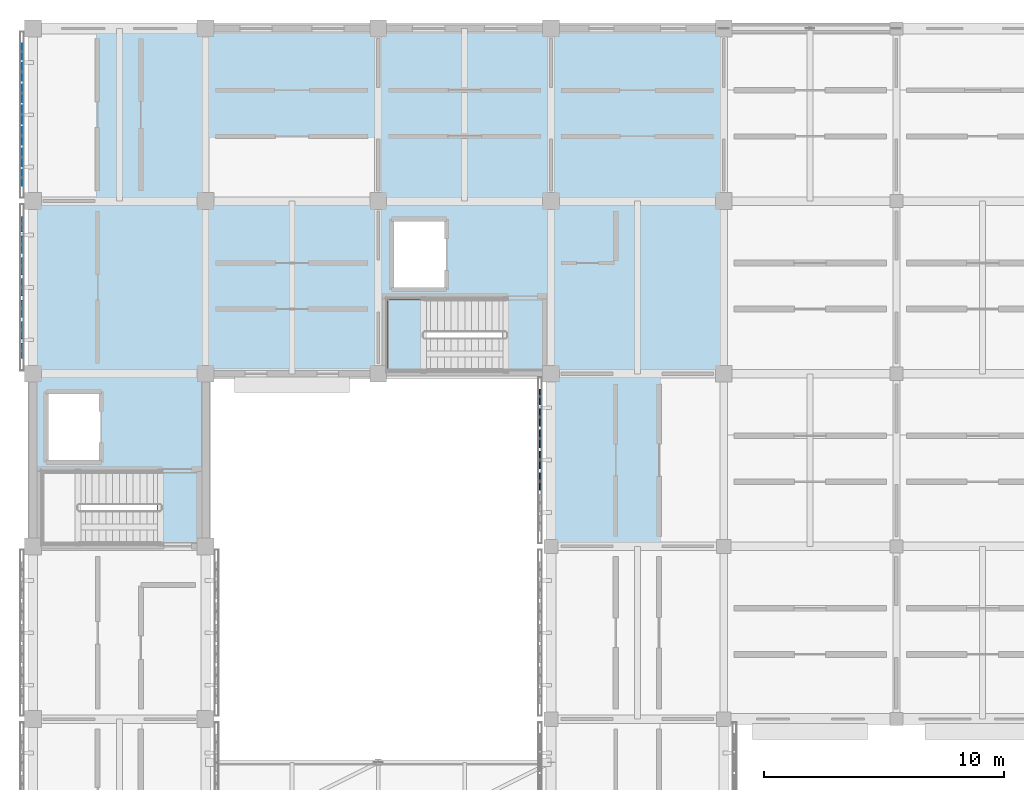
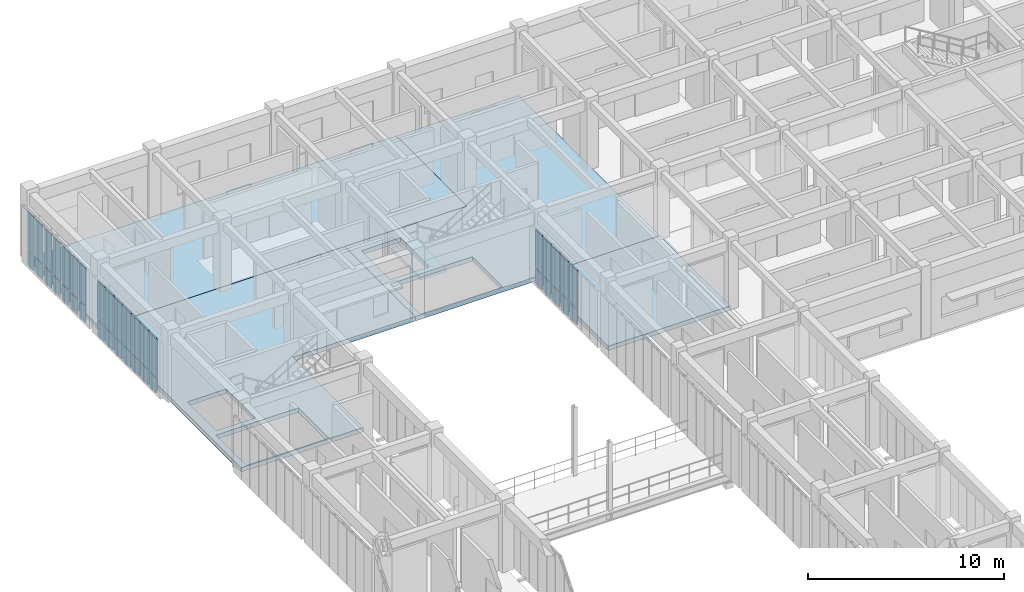
# One storey, part 101 of 171: 38 plates, 5 slabs, 4 elements without a shape of their own.
"""IFC4 building model written with IfcOpenShell, lengths in metres."""

from ifc_helpers import new_model, si_unit, direction, frame, origin, origin_2d, place, context, subcontext, project, spatial, polyline, rectangle, outline, extrude, material, layer, layer_set, type_object, element, aggregate, save


model = new_model("IFC4")

# Units and contexts
model_context = context("Model", 3, precision=1e-05, world=origin(), true_north=direction((0.0, 1.0)))
body_context = subcontext(model_context, "Body", "Model", "MODEL_VIEW")
ifc_project = project(units=[si_unit("LENGTHUNIT", "METRE"), si_unit("AREAUNIT", "SQUARE_METRE"), si_unit("VOLUMEUNIT", "CUBIC_METRE"), si_unit("PLANEANGLEUNIT", "RADIAN"), si_unit("MASSUNIT", "GRAM", prefix="KILO")], contexts=[model_context])

# Site, building, storey
site_placement = place(None, origin())
site = spatial("IfcSite", under=ifc_project, at=site_placement, CompositionType="ELEMENT")
building_placement = place(site_placement, origin())
building = spatial("IfcBuilding", under=site, at=building_placement, Name="Aldebral Square Health Centre", CompositionType="ELEMENT")
storey_placement = place(building_placement, frame((0.0, 0.0, 4.5)))
storey = spatial("IfcBuildingStorey", under=building, at=storey_placement, Name="L01", CompositionType="ELEMENT", Elevation=4.5)

# Curtain wall, plates
ifc_material_1 = material(Name="Aluminium and low-E solar glass", Category="aluminium")
curtain_wall_type = type_object("IfcCurtainWallType", Name="CW-FIN-SYS", PredefinedType="USERDEFINED", material=ifc_material_1)
curtain_wall_1_placement = place(storey_placement, origin())
curtain_wall_1 = element("IfcCurtainWall", 1, at=curtain_wall_1_placement, inside=storey, type_object=curtain_wall_type, Name="L01 V4 finned curtain wall L01-V4-00-15-W", ObjectType="SOLAR_CURTAIN_WALL", PredefinedType="USERDEFINED")
ifc_material_2 = material(Name="Solar-control low-E double glass", Category="glass")
ifc_layer_1 = layer(ifc_material_2, 0.02001953125, Name="Solar-control low-E double glass", Category="glass")
ifc_layer_set_1 = layer_set([ifc_layer_1], Name="Solar-control low-E double glass")
plate_type_1 = type_object("IfcPlateType", Name="CWP-GLZ-1", PredefinedType="CURTAIN_PANEL", material=ifc_layer_set_1)
plate_1_placement = place(storey_placement, frame((-0.4599609375, 114.234375, 0.074951171875), z_axis=(0.0, 0.0, 1.0), x_axis=(0.0, -1.0, 0.0)))
plate_1 = element("IfcPlate", 2, at=plate_1_placement, type_object=plate_type_1, Name="CW1 panel 1.1", PredefinedType="CURTAIN_PANEL", context=body_context, shape_type="SweptSolid", body=[
    extrude(rectangle(XDim=0.6513671875, YDim=0.02001953125, at=origin_2d()), origin(), (0.0, 0.0, 1.0), 0.9375),
])
plate_2_placement = place(storey_placement, frame((-0.4599609375, 114.234375, 1.087646484375), z_axis=(0.0, 0.0, 1.0), x_axis=(0.0, -1.0, 0.0)))
plate_2 = element("IfcPlate", 3, at=plate_2_placement, type_object=plate_type_1, Name="CW1 panel 1.2", PredefinedType="CURTAIN_PANEL", context=body_context, shape_type="SweptSolid", body=[
    extrude(rectangle(XDim=0.6513671875, YDim=0.02001953125, at=origin_2d()), origin(), (0.0, 0.0, 1.0), 2.357421875),
])
plate_3_placement = place(storey_placement, frame((-0.4599609375, 113.3828125, 0.074951171875), z_axis=(0.0, 0.0, 1.0), x_axis=(0.0, -1.0, 0.0)))
plate_3 = element("IfcPlate", 4, at=plate_3_placement, type_object=plate_type_1, Name="CW1 panel 2.1", PredefinedType="CURTAIN_PANEL", context=body_context, shape_type="SweptSolid", body=[
    extrude(rectangle(XDim=0.7314453125, YDim=0.02001953125, at=origin_2d()), origin(), (0.0, 0.0, 1.0), 0.9375),
])
plate_4_placement = place(storey_placement, frame((-0.4599609375, 113.3828125, 1.087646484375), z_axis=(0.0, 0.0, 1.0), x_axis=(0.0, -1.0, 0.0)))
plate_4 = element("IfcPlate", 5, at=plate_4_placement, type_object=plate_type_1, Name="CW1 panel 2.2", PredefinedType="CURTAIN_PANEL", context=body_context, shape_type="SweptSolid", body=[
    extrude(rectangle(XDim=0.7314453125, YDim=0.02001953125, at=origin_2d()), origin(), (0.0, 0.0, 1.0), 2.357421875),
])
plate_5_placement = place(storey_placement, frame((-0.4599609375, 112.491455078125, 0.074951171875), z_axis=(0.0, 0.0, 1.0), x_axis=(0.0, -1.0, 0.0)))
plate_5 = element("IfcPlate", 6, at=plate_5_placement, type_object=plate_type_1, Name="CW1 panel 3.1", PredefinedType="CURTAIN_PANEL", context=body_context, shape_type="SweptSolid", body=[
    extrude(rectangle(XDim=0.7314453125, YDim=0.02001953125, at=origin_2d()), origin(), (0.0, 0.0, 1.0), 0.9375),
])
plate_6_placement = place(storey_placement, frame((-0.4599609375, 112.491455078125, 1.087646484375), z_axis=(0.0, 0.0, 1.0), x_axis=(0.0, -1.0, 0.0)))
plate_6 = element("IfcPlate", 7, at=plate_6_placement, type_object=plate_type_1, Name="CW1 panel 3.2", PredefinedType="CURTAIN_PANEL", context=body_context, shape_type="SweptSolid", body=[
    extrude(rectangle(XDim=0.7314453125, YDim=0.02001953125, at=origin_2d()), origin(), (0.0, 0.0, 1.0), 2.357421875),
])
plate_7_placement = place(storey_placement, frame((-0.4599609375, 111.60009765625, 0.074951171875), z_axis=(0.0, 0.0, 1.0), x_axis=(0.0, -1.0, 0.0)))
plate_7 = element("IfcPlate", 8, at=plate_7_placement, type_object=plate_type_1, Name="CW1 panel 4.1", PredefinedType="CURTAIN_PANEL", context=body_context, shape_type="SweptSolid", body=[
    extrude(rectangle(XDim=0.7314453125, YDim=0.02001953125, at=origin_2d()), origin(), (0.0, 0.0, 1.0), 0.9375),
])
plate_8_placement = place(storey_placement, frame((-0.4599609375, 111.60009765625, 1.087646484375), z_axis=(0.0, 0.0, 1.0), x_axis=(0.0, -1.0, 0.0)))
plate_8 = element("IfcPlate", 9, at=plate_8_placement, type_object=plate_type_1, Name="CW1 panel 4.2", PredefinedType="CURTAIN_PANEL", context=body_context, shape_type="SweptSolid", body=[
    extrude(rectangle(XDim=0.7314453125, YDim=0.02001953125, at=origin_2d()), origin(), (0.0, 0.0, 1.0), 2.357421875),
])
plate_9_placement = place(storey_placement, frame((-0.4599609375, 110.70849609375, 0.074951171875), z_axis=(0.0, 0.0, 1.0), x_axis=(0.0, -1.0, 0.0)))
plate_9 = element("IfcPlate", 10, at=plate_9_placement, type_object=plate_type_1, Name="CW1 panel 5.1", PredefinedType="CURTAIN_PANEL", context=body_context, shape_type="SweptSolid", body=[
    extrude(rectangle(XDim=0.7314453125, YDim=0.02001953125, at=origin_2d()), origin(), (0.0, 0.0, 1.0), 0.9375),
])
plate_10_placement = place(storey_placement, frame((-0.4599609375, 110.70849609375, 1.087646484375), z_axis=(0.0, 0.0, 1.0), x_axis=(0.0, -1.0, 0.0)))
plate_10 = element("IfcPlate", 11, at=plate_10_placement, type_object=plate_type_1, Name="CW1 panel 5.2", PredefinedType="CURTAIN_PANEL", context=body_context, shape_type="SweptSolid", body=[
    extrude(rectangle(XDim=0.7314453125, YDim=0.02001953125, at=origin_2d()), origin(), (0.0, 0.0, 1.0), 2.357421875),
])
plate_11_placement = place(storey_placement, frame((-0.4599609375, 109.817138671875, 0.074951171875), z_axis=(0.0, 0.0, 1.0), x_axis=(0.0, -1.0, 0.0)))
plate_11 = element("IfcPlate", 12, at=plate_11_placement, type_object=plate_type_1, Name="CW1 panel 6.1", PredefinedType="CURTAIN_PANEL", context=body_context, shape_type="SweptSolid", body=[
    extrude(rectangle(XDim=0.7314453125, YDim=0.02001953125, at=origin_2d()), origin(), (0.0, 0.0, 1.0), 0.9375),
])
plate_12_placement = place(storey_placement, frame((-0.4599609375, 109.817138671875, 1.087646484375), z_axis=(0.0, 0.0, 1.0), x_axis=(0.0, -1.0, 0.0)))
plate_12 = element("IfcPlate", 13, at=plate_12_placement, type_object=plate_type_1, Name="CW1 panel 6.2", PredefinedType="CURTAIN_PANEL", context=body_context, shape_type="SweptSolid", body=[
    extrude(rectangle(XDim=0.7314453125, YDim=0.02001953125, at=origin_2d()), origin(), (0.0, 0.0, 1.0), 2.357421875),
])
plate_13_placement = place(storey_placement, frame((-0.4599609375, 108.9658203125, 0.074951171875), z_axis=(0.0, 0.0, 1.0), x_axis=(0.0, -1.0, 0.0)))
plate_13 = element("IfcPlate", 14, at=plate_13_placement, type_object=plate_type_1, Name="CW1 panel 7.1", PredefinedType="CURTAIN_PANEL", context=body_context, shape_type="SweptSolid", body=[
    extrude(rectangle(XDim=0.6513671875, YDim=0.02001953125, at=origin_2d()), origin(), (0.0, 0.0, 1.0), 0.9375),
])
plate_14_placement = place(storey_placement, frame((-0.4599609375, 108.9658203125, 1.087646484375), z_axis=(0.0, 0.0, 1.0), x_axis=(0.0, -1.0, 0.0)))
plate_14 = element("IfcPlate", 15, at=plate_14_placement, type_object=plate_type_1, Name="CW1 panel 7.2", PredefinedType="CURTAIN_PANEL", context=body_context, shape_type="SweptSolid", body=[
    extrude(rectangle(XDim=0.6513671875, YDim=0.02001953125, at=origin_2d()), origin(), (0.0, 0.0, 1.0), 2.357421875),
])
aggregate(curtain_wall_1, [plate_1, plate_2, plate_3, plate_4, plate_5, plate_6, plate_7, plate_8, plate_9, plate_10, plate_11, plate_12, plate_13, plate_14])

curtain_wall_2_placement = place(storey_placement, origin())
curtain_wall_2 = element("IfcCurtainWall", 16, at=curtain_wall_2_placement, inside=storey, type_object=curtain_wall_type, Name="L01 V4 finned curtain wall L01-V4-03-13-W", ObjectType="SOLAR_CURTAIN_WALL", PredefinedType="USERDEFINED")
ifc_layer_2 = layer(ifc_material_2, 0.06005859375, Name="Solar-control low-E double glass", Category="glass")
ifc_layer_set_2 = layer_set([ifc_layer_2], Name="Solar-control low-E double glass")
plate_type_2 = type_object("IfcPlateType", Name="CWP-GLZ-5", PredefinedType="CURTAIN_PANEL", material=ifc_layer_set_2)
plate_15_placement = place(storey_placement, frame((21.139892578125, 99.834228515625, 0.074951171875), z_axis=(0.0, 0.0, 1.0), x_axis=(0.0, -1.0, 0.0)))
plate_15 = element("IfcPlate", 17, at=plate_15_placement, type_object=plate_type_2, Name="CW1 panel 1.1", PredefinedType="CURTAIN_PANEL", context=body_context, shape_type="SweptSolid", body=[
    extrude(rectangle(XDim=0.6513671875, YDim=0.06005859375, at=origin_2d()), origin(), (0.0, 0.0, 1.0), 0.9375),
])
plate_16_placement = place(storey_placement, frame((21.139892578125, 99.834228515625, 1.087646484375), z_axis=(0.0, 0.0, 1.0), x_axis=(0.0, -1.0, 0.0)))
plate_16 = element("IfcPlate", 18, at=plate_16_placement, type_object=plate_type_2, Name="CW1 panel 1.2", PredefinedType="CURTAIN_PANEL", context=body_context, shape_type="SweptSolid", body=[
    extrude(rectangle(XDim=0.6513671875, YDim=0.06005859375, at=origin_2d()), origin(), (0.0, 0.0, 1.0), 2.357421875),
])
plate_17_placement = place(storey_placement, frame((21.139892578125, 98.98291015625, 0.074951171875), z_axis=(0.0, 0.0, 1.0), x_axis=(0.0, -1.0, 0.0)))
plate_17 = element("IfcPlate", 19, at=plate_17_placement, type_object=plate_type_2, Name="CW1 panel 2.1", PredefinedType="CURTAIN_PANEL", context=body_context, shape_type="SweptSolid", body=[
    extrude(rectangle(XDim=0.7314453125, YDim=0.06005859375, at=origin_2d()), origin(), (0.0, 0.0, 1.0), 0.9375),
])
plate_18_placement = place(storey_placement, frame((21.139892578125, 98.98291015625, 1.087646484375), z_axis=(0.0, 0.0, 1.0), x_axis=(0.0, -1.0, 0.0)))
plate_18 = element("IfcPlate", 20, at=plate_18_placement, type_object=plate_type_2, Name="CW1 panel 2.2", PredefinedType="CURTAIN_PANEL", context=body_context, shape_type="SweptSolid", body=[
    extrude(rectangle(XDim=0.7314453125, YDim=0.06005859375, at=origin_2d()), origin(), (0.0, 0.0, 1.0), 2.357421875),
])
plate_19_placement = place(storey_placement, frame((21.139892578125, 98.09130859375, 0.074951171875), z_axis=(0.0, 0.0, 1.0), x_axis=(0.0, -1.0, 0.0)))
plate_19 = element("IfcPlate", 21, at=plate_19_placement, type_object=plate_type_2, Name="CW1 panel 3.1", PredefinedType="CURTAIN_PANEL", context=body_context, shape_type="SweptSolid", body=[
    extrude(rectangle(XDim=0.7314453125, YDim=0.06005859375, at=origin_2d()), origin(), (0.0, 0.0, 1.0), 0.9375),
])
plate_20_placement = place(storey_placement, frame((21.139892578125, 98.09130859375, 1.087646484375), z_axis=(0.0, 0.0, 1.0), x_axis=(0.0, -1.0, 0.0)))
plate_20 = element("IfcPlate", 22, at=plate_20_placement, type_object=plate_type_2, Name="CW1 panel 3.2", PredefinedType="CURTAIN_PANEL", context=body_context, shape_type="SweptSolid", body=[
    extrude(rectangle(XDim=0.7314453125, YDim=0.06005859375, at=origin_2d()), origin(), (0.0, 0.0, 1.0), 2.357421875),
])
plate_21_placement = place(storey_placement, frame((21.139892578125, 97.199951171875, 0.074951171875), z_axis=(0.0, 0.0, 1.0), x_axis=(0.0, -1.0, 0.0)))
plate_21 = element("IfcPlate", 23, at=plate_21_placement, type_object=plate_type_2, Name="CW1 panel 4.1", PredefinedType="CURTAIN_PANEL", context=body_context, shape_type="SweptSolid", body=[
    extrude(rectangle(XDim=0.7314453125, YDim=0.06005859375, at=origin_2d()), origin(), (0.0, 0.0, 1.0), 0.9375),
])
plate_22_placement = place(storey_placement, frame((21.139892578125, 97.199951171875, 1.087646484375), z_axis=(0.0, 0.0, 1.0), x_axis=(0.0, -1.0, 0.0)))
plate_22 = element("IfcPlate", 24, at=plate_22_placement, type_object=plate_type_2, Name="CW1 panel 4.2", PredefinedType="CURTAIN_PANEL", context=body_context, shape_type="SweptSolid", body=[
    extrude(rectangle(XDim=0.7314453125, YDim=0.06005859375, at=origin_2d()), origin(), (0.0, 0.0, 1.0), 2.357421875),
])
plate_23_placement = place(storey_placement, frame((21.139892578125, 96.30859375, 0.074951171875), z_axis=(0.0, 0.0, 1.0), x_axis=(0.0, -1.0, 0.0)))
plate_23 = element("IfcPlate", 25, at=plate_23_placement, type_object=plate_type_2, Name="CW1 panel 5.1", PredefinedType="CURTAIN_PANEL", context=body_context, shape_type="SweptSolid", body=[
    extrude(rectangle(XDim=0.7314453125, YDim=0.06005859375, at=origin_2d()), origin(), (0.0, 0.0, 1.0), 0.9375),
])
plate_24_placement = place(storey_placement, frame((21.139892578125, 96.30859375, 1.087646484375), z_axis=(0.0, 0.0, 1.0), x_axis=(0.0, -1.0, 0.0)))
plate_24 = element("IfcPlate", 26, at=plate_24_placement, type_object=plate_type_2, Name="CW1 panel 5.2", PredefinedType="CURTAIN_PANEL", context=body_context, shape_type="SweptSolid", body=[
    extrude(rectangle(XDim=0.7314453125, YDim=0.06005859375, at=origin_2d()), origin(), (0.0, 0.0, 1.0), 2.357421875),
])
aggregate(curtain_wall_2, [plate_15, plate_16, plate_17, plate_18, plate_19, plate_20, plate_21, plate_22, plate_23, plate_24])

curtain_wall_3_placement = place(storey_placement, origin())
curtain_wall_3 = element("IfcCurtainWall", 27, at=curtain_wall_3_placement, inside=storey, type_object=curtain_wall_type, Name="L01 V4 finned curtain wall L01-V4-00-14-W", ObjectType="SOLAR_CURTAIN_WALL", PredefinedType="USERDEFINED")
ifc_layer_3 = layer(ifc_material_2, 0.090087890625, Name="Solar-control low-E double glass", Category="glass")
ifc_layer_set_3 = layer_set([ifc_layer_3], Name="Solar-control low-E double glass")
plate_type_3 = type_object("IfcPlateType", Name="CWP-GLZ-8", PredefinedType="CURTAIN_PANEL", material=ifc_layer_set_3)
plate_25_placement = place(storey_placement, frame((-0.4599609375, 107.0341796875, 0.074951171875), z_axis=(0.0, 0.0, 1.0), x_axis=(0.0, -1.0, 0.0)))
plate_25 = element("IfcPlate", 28, at=plate_25_placement, type_object=plate_type_3, Name="CW1 panel 1.1", PredefinedType="CURTAIN_PANEL", context=body_context, shape_type="SweptSolid", body=[
    extrude(rectangle(XDim=0.6513671875, YDim=0.090087890625, at=origin_2d()), origin(), (0.0, 0.0, 1.0), 0.9375),
])
plate_26_placement = place(storey_placement, frame((-0.4599609375, 107.0341796875, 1.087646484375), z_axis=(0.0, 0.0, 1.0), x_axis=(0.0, -1.0, 0.0)))
plate_26 = element("IfcPlate", 29, at=plate_26_placement, type_object=plate_type_3, Name="CW1 panel 1.2", PredefinedType="CURTAIN_PANEL", context=body_context, shape_type="SweptSolid", body=[
    extrude(rectangle(XDim=0.6513671875, YDim=0.090087890625, at=origin_2d()), origin(), (0.0, 0.0, 1.0), 2.357421875),
])
plate_27_placement = place(storey_placement, frame((-0.4599609375, 106.182861328125, 0.074951171875), z_axis=(0.0, 0.0, 1.0), x_axis=(0.0, -1.0, 0.0)))
plate_27 = element("IfcPlate", 30, at=plate_27_placement, type_object=plate_type_3, Name="CW1 panel 2.1", PredefinedType="CURTAIN_PANEL", context=body_context, shape_type="SweptSolid", body=[
    extrude(rectangle(XDim=0.7314453125, YDim=0.090087890625, at=origin_2d()), origin(), (0.0, 0.0, 1.0), 0.9375),
])
plate_28_placement = place(storey_placement, frame((-0.4599609375, 106.182861328125, 1.087646484375), z_axis=(0.0, 0.0, 1.0), x_axis=(0.0, -1.0, 0.0)))
plate_28 = element("IfcPlate", 31, at=plate_28_placement, type_object=plate_type_3, Name="CW1 panel 2.2", PredefinedType="CURTAIN_PANEL", context=body_context, shape_type="SweptSolid", body=[
    extrude(rectangle(XDim=0.7314453125, YDim=0.090087890625, at=origin_2d()), origin(), (0.0, 0.0, 1.0), 2.357421875),
])
plate_29_placement = place(storey_placement, frame((-0.4599609375, 105.29150390625, 0.074951171875), z_axis=(0.0, 0.0, 1.0), x_axis=(0.0, -1.0, 0.0)))
plate_29 = element("IfcPlate", 32, at=plate_29_placement, type_object=plate_type_3, Name="CW1 panel 3.1", PredefinedType="CURTAIN_PANEL", context=body_context, shape_type="SweptSolid", body=[
    extrude(rectangle(XDim=0.7314453125, YDim=0.090087890625, at=origin_2d()), origin(), (0.0, 0.0, 1.0), 0.9375),
])
plate_30_placement = place(storey_placement, frame((-0.4599609375, 105.29150390625, 1.087646484375), z_axis=(0.0, 0.0, 1.0), x_axis=(0.0, -1.0, 0.0)))
plate_30 = element("IfcPlate", 33, at=plate_30_placement, type_object=plate_type_3, Name="CW1 panel 3.2", PredefinedType="CURTAIN_PANEL", context=body_context, shape_type="SweptSolid", body=[
    extrude(rectangle(XDim=0.7314453125, YDim=0.090087890625, at=origin_2d()), origin(), (0.0, 0.0, 1.0), 2.357421875),
])
plate_31_placement = place(storey_placement, frame((-0.4599609375, 104.39990234375, 0.074951171875), z_axis=(0.0, 0.0, 1.0), x_axis=(0.0, -1.0, 0.0)))
plate_31 = element("IfcPlate", 34, at=plate_31_placement, type_object=plate_type_3, Name="CW1 panel 4.1", PredefinedType="CURTAIN_PANEL", context=body_context, shape_type="SweptSolid", body=[
    extrude(rectangle(XDim=0.7314453125, YDim=0.090087890625, at=origin_2d()), origin(), (0.0, 0.0, 1.0), 0.9375),
])
plate_32_placement = place(storey_placement, frame((-0.4599609375, 104.39990234375, 1.087646484375), z_axis=(0.0, 0.0, 1.0), x_axis=(0.0, -1.0, 0.0)))
plate_32 = element("IfcPlate", 35, at=plate_32_placement, type_object=plate_type_3, Name="CW1 panel 4.2", PredefinedType="CURTAIN_PANEL", context=body_context, shape_type="SweptSolid", body=[
    extrude(rectangle(XDim=0.7314453125, YDim=0.090087890625, at=origin_2d()), origin(), (0.0, 0.0, 1.0), 2.357421875),
])
plate_33_placement = place(storey_placement, frame((-0.4599609375, 103.508544921875, 0.074951171875), z_axis=(0.0, 0.0, 1.0), x_axis=(0.0, -1.0, 0.0)))
plate_33 = element("IfcPlate", 36, at=plate_33_placement, type_object=plate_type_3, Name="CW1 panel 5.1", PredefinedType="CURTAIN_PANEL", context=body_context, shape_type="SweptSolid", body=[
    extrude(rectangle(XDim=0.7314453125, YDim=0.090087890625, at=origin_2d()), origin(), (0.0, 0.0, 1.0), 0.9375),
])
plate_34_placement = place(storey_placement, frame((-0.4599609375, 103.508544921875, 1.087646484375), z_axis=(0.0, 0.0, 1.0), x_axis=(0.0, -1.0, 0.0)))
plate_34 = element("IfcPlate", 37, at=plate_34_placement, type_object=plate_type_3, Name="CW1 panel 5.2", PredefinedType="CURTAIN_PANEL", context=body_context, shape_type="SweptSolid", body=[
    extrude(rectangle(XDim=0.7314453125, YDim=0.090087890625, at=origin_2d()), origin(), (0.0, 0.0, 1.0), 2.357421875),
])
plate_35_placement = place(storey_placement, frame((-0.4599609375, 102.6171875, 0.074951171875), z_axis=(0.0, 0.0, 1.0), x_axis=(0.0, -1.0, 0.0)))
plate_35 = element("IfcPlate", 38, at=plate_35_placement, type_object=plate_type_3, Name="CW1 panel 6.1", PredefinedType="CURTAIN_PANEL", context=body_context, shape_type="SweptSolid", body=[
    extrude(rectangle(XDim=0.7314453125, YDim=0.090087890625, at=origin_2d()), origin(), (0.0, 0.0, 1.0), 0.9375),
])
plate_36_placement = place(storey_placement, frame((-0.4599609375, 102.6171875, 1.087646484375), z_axis=(0.0, 0.0, 1.0), x_axis=(0.0, -1.0, 0.0)))
plate_36 = element("IfcPlate", 39, at=plate_36_placement, type_object=plate_type_3, Name="CW1 panel 6.2", PredefinedType="CURTAIN_PANEL", context=body_context, shape_type="SweptSolid", body=[
    extrude(rectangle(XDim=0.7314453125, YDim=0.090087890625, at=origin_2d()), origin(), (0.0, 0.0, 1.0), 2.357421875),
])
plate_37_placement = place(storey_placement, frame((-0.4599609375, 101.765625, 0.074951171875), z_axis=(0.0, 0.0, 1.0), x_axis=(0.0, -1.0, 0.0)))
plate_37 = element("IfcPlate", 40, at=plate_37_placement, type_object=plate_type_3, Name="CW1 panel 7.1", PredefinedType="CURTAIN_PANEL", context=body_context, shape_type="SweptSolid", body=[
    extrude(rectangle(XDim=0.6513671875, YDim=0.090087890625, at=origin_2d()), origin(), (0.0, 0.0, 1.0), 0.9375),
])
plate_38_placement = place(storey_placement, frame((-0.4599609375, 101.765625, 1.087646484375), z_axis=(0.0, 0.0, 1.0), x_axis=(0.0, -1.0, 0.0)))
plate_38 = element("IfcPlate", 41, at=plate_38_placement, type_object=plate_type_3, Name="CW1 panel 7.2", PredefinedType="CURTAIN_PANEL", context=body_context, shape_type="SweptSolid", body=[
    extrude(rectangle(XDim=0.6513671875, YDim=0.090087890625, at=origin_2d()), origin(), (0.0, 0.0, 1.0), 2.357421875),
])
aggregate(curtain_wall_3, [plate_25, plate_26, plate_27, plate_28, plate_29, plate_30, plate_31, plate_32, plate_33, plate_34, plate_35, plate_36, plate_37, plate_38])

# Slabs
ifc_material_3 = material(Name="Concrete C35/45", Category="concrete")
ifc_layer_4 = layer(ifc_material_3, 0.27001953125, Name="Concrete C35/45", Category="concrete")
ifc_layer_set_4 = layer_set([ifc_layer_4], Name="Concrete C35/45")
slab_type_1 = type_object("IfcSlabType", Name="SL-FLR-270", PredefinedType="FLOOR", material=ifc_layer_set_4)
slab_1_placement = place(storey_placement, frame((0.0, 0.0, -0.27001953125)))
element("IfcSlab", 42, at=slab_1_placement, inside=storey, type_object=slab_type_1, Name="L01 V4 floor slab 4", PredefinedType="FLOOR", context=body_context, shape_type="SweptSolid", body=[
    extrude(outline(polyline([(0.0, 93.60009765625), (0.0, 100.800048828125), (0.0, 108.0), (7.199951171875, 108.0), (14.39990234375, 108.0), (14.39990234375, 100.800048828125), (7.199951171875, 100.800048828125), (7.199951171875, 93.60009765625), (0.0, 93.60009765625)]), holes=[polyline([(5.179931640625, 96.760009765625), (0.340087890625, 96.760009765625), (0.340087890625, 93.679931640625), (5.179931640625, 93.679931640625), (5.179931640625, 96.760009765625)]), polyline([(2.85009765625, 100.050048828125), (0.550048828125, 100.050048828125), (0.550048828125, 97.10009765625), (2.85009765625, 97.10009765625), (2.85009765625, 100.050048828125)])]), origin(), (0.0, 0.0, 1.0), 0.27001953125),
])
slab_2_placement = place(storey_placement, frame((0.0, 0.0, -0.27001953125)))
element("IfcSlab", 43, at=slab_2_placement, inside=storey, type_object=slab_type_1, Name="L01 V4 floor slab 5", PredefinedType="FLOOR", context=body_context, shape_type="SweptSolid", body=[
    extrude(outline(polyline([(0.0, 115.199951171875), (7.199951171875, 115.199951171875), (14.39990234375, 115.199951171875), (21.60009765625, 115.199951171875), (21.60009765625, 108.0), (14.39990234375, 108.0), (7.199951171875, 108.0), (0.0, 108.0), (0.0, 115.199951171875)])), origin(), (0.0, 0.0, 1.0), 0.27001953125),
])
slab_3_placement = place(storey_placement, frame((0.0, 0.0, -0.27001953125)))
element("IfcSlab", 44, at=slab_3_placement, inside=storey, type_object=slab_type_1, Name="L01 V4 floor slab 7", PredefinedType="FLOOR", context=body_context, shape_type="SweptSolid", body=[
    extrude(outline(polyline([(14.39990234375, 108.0), (21.60009765625, 108.0), (21.60009765625, 115.199951171875), (28.800048828125, 115.199951171875), (28.800048828125, 108.0), (28.800048828125, 100.800048828125), (21.60009765625, 100.800048828125), (14.39990234375, 100.800048828125), (14.39990234375, 108.0)]), holes=[polyline([(19.580078125, 103.9599609375), (14.739990234375, 103.9599609375), (14.739990234375, 100.8798828125), (19.580078125, 100.8798828125), (19.580078125, 103.9599609375)]), polyline([(17.25, 107.25), (14.949951171875, 107.25), (14.949951171875, 104.300048828125), (17.25, 104.300048828125), (17.25, 107.25)])]), origin(), (0.0, 0.0, 1.0), 0.27001953125),
])
slab_4_placement = place(storey_placement, frame((0.0, 0.0, -0.27001953125)))
element("IfcSlab", 45, at=slab_4_placement, inside=storey, type_object=slab_type_1, Name="L01 V4 floor slab 11", PredefinedType="FLOOR", context=body_context, shape_type="SweptSolid", body=[
    extrude(outline(polyline([(21.60009765625, 93.60009765625), (21.60009765625, 100.800048828125), (28.800048828125, 100.800048828125), (28.800048828125, 93.60009765625), (21.60009765625, 93.60009765625)])), origin(), (0.0, 0.0, 1.0), 0.27001953125),
])

# Stair, slab
stair_type = type_object("IfcStairType", Name="ST-DOG-140", PredefinedType="HALF_TURN_STAIR", material=ifc_material_3)
stair_placement = place(storey_placement, origin())
stair = element("IfcStair", 46, at=stair_placement, inside=storey, type_object=stair_type, Name="L01 ST-02", PredefinedType="HALF_TURN_STAIR")
ifc_layer_5 = layer(ifc_material_3, 0.199951171875, Name="Concrete C35/45", Category="concrete")
ifc_layer_set_5 = layer_set([ifc_layer_5], Name="Concrete C35/45")
slab_type_2 = type_object("IfcSlabType", Name="SL-LND-200", PredefinedType="LANDING", material=ifc_layer_set_5)
slab_5_placement = place(storey_placement, frame((0.0, 0.0, 2.050048828125)))
slab_5 = element("IfcSlab", 47, at=slab_5_placement, type_object=slab_type_2, Name="ST-02 landing 1", PredefinedType="LANDING", context=body_context, shape_type="SweptSolid", body=[
    extrude(outline(polyline([(16.300048828125, 103.919921875), (14.780029296875, 103.919921875), (14.780029296875, 100.919921875), (16.300048828125, 100.919921875), (16.300048828125, 103.919921875)])), origin(), (0.0, 0.0, 1.0), 0.199951171875),
])
aggregate(stair, [slab_5])

save(model, "model.ifc")
